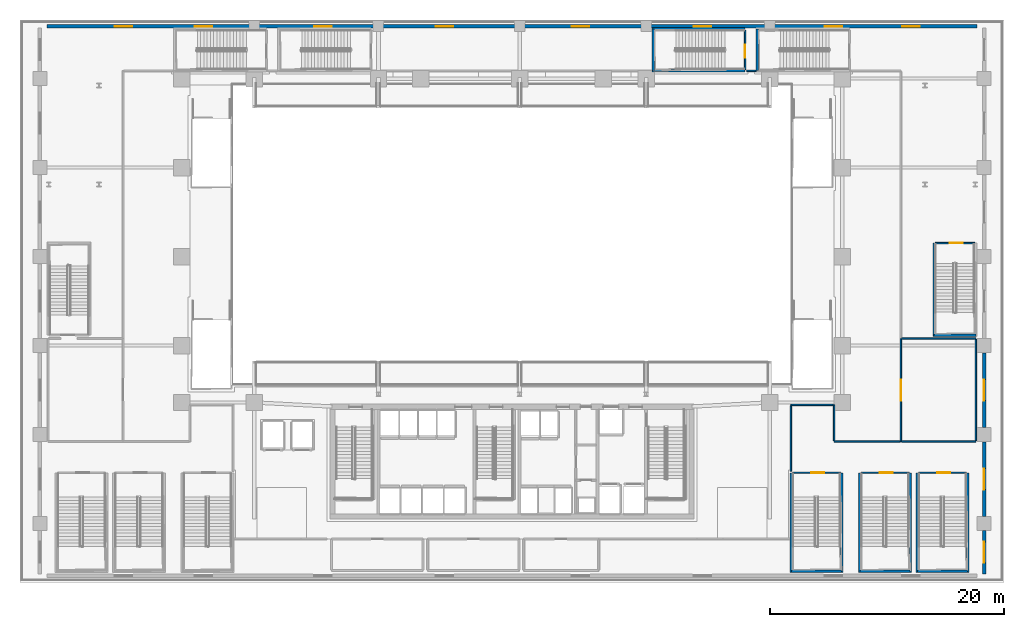
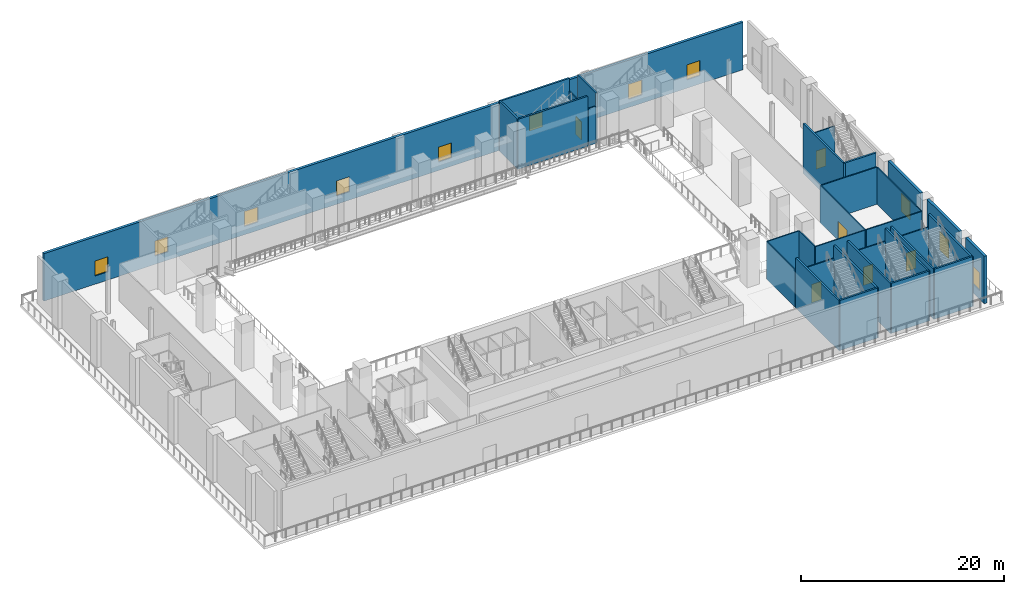
# One storey, part 11 of 28: 33 walls, 11 windows, 6 doors, 17 openings.
"""IFC4 building model written with IfcOpenShell, lengths in metres."""

from ifc_helpers import new_model, si_unit, direction, frame, frame_2d, origin, place, context, subcontext, project, spatial, rectangle, extrude, material, layer, layer_set, type_object, element, fill, save


model = new_model("IFC4")

# Units and contexts
model_context = context("Model", 3, precision=1e-05, world=origin(), true_north=direction((0.0, 1.0)))
body_context = subcontext(model_context, "Body", "Model", "MODEL_VIEW")
ifc_project = project(units=[si_unit("LENGTHUNIT", "METRE"), si_unit("AREAUNIT", "SQUARE_METRE"), si_unit("VOLUMEUNIT", "CUBIC_METRE"), si_unit("PLANEANGLEUNIT", "RADIAN"), si_unit("MASSUNIT", "GRAM", prefix="KILO")], contexts=[model_context])

# Site, building, storey
site_placement = place(None, origin())
site = spatial("IfcSite", under=ifc_project, at=site_placement, CompositionType="ELEMENT")
building_placement = place(site_placement, origin())
building = spatial("IfcBuilding", under=site, at=building_placement, Name="Ndaravel Arena Tower", CompositionType="ELEMENT")
storey_placement = place(building_placement, frame((0.0, 0.0, 18.0)))
storey = spatial("IfcBuildingStorey", under=building, at=storey_placement, Name="L03", CompositionType="ELEMENT", Elevation=18.0)

# Wall
ifc_material_1 = material(Name="Gypsum", Category="gypsum")
ifc_layer_1 = layer(ifc_material_1, 0.125)
ifc_layer_set_1 = layer_set([ifc_layer_1], Name="Gypsum")
wall_type_1 = type_object("IfcWallType", Name="WALL-PART-125", PredefinedType="PARTITIONING", material=ifc_layer_set_1)
wall_1_placement = place(storey_placement, frame((62.02001953125, 43.64990234375, 0.0), z_axis=(0.0, 0.0, 1.0), x_axis=(1.0, 0.0, 0.0)))
element("IfcWall", 1, at=wall_1_placement, inside=storey, type_object=wall_type_1, Name="L03 Interior Partition 017", PredefinedType="PARTITIONING", context=body_context, shape_type="SweptSolid", body=[
    extrude(rectangle(XDim=0.81005859375, YDim=0.125, at=frame_2d((0.405029296875, 0.0))), origin(), (0.0, 0.0, 1.0), 4.469970703125),
])

# Wall, opening, door
wall_2_placement = place(storey_placement, frame((75.199951171875, 20.800048828125, 0.0), z_axis=(0.0, 0.0, 1.0), x_axis=(0.0, -1.0, 0.0)))
wall_2 = element("IfcWall", 2, at=wall_2_placement, inside=storey, type_object=wall_type_1, Name="L03 Interior Partition 020", PredefinedType="PARTITIONING", context=body_context, shape_type="SweptSolid", body=[
    extrude(rectangle(XDim=8.800048828125, YDim=0.125, at=frame_2d((4.39990234375, 0.0))), origin(), (0.0, 0.0, 1.0), 4.469970703125),
])
opening_1_placement = place(wall_2_placement, frame((3.5, 0.0, 0.0)))
opening_1 = element("IfcOpeningElement", 3, at=opening_1_placement, cuts=wall_2, Name="Opening AD-01", PredefinedType="OPENING", context=body_context, shape_type="SweptSolid", body=[
    extrude(rectangle(XDim=1.800048828125, YDim=2.300048828125, at=frame_2d((0.89990234375, 1.14990234375))), frame((0.0, 0.0625, 0.0), z_axis=(0.0, -1.0, 0.0), x_axis=(1.0, 0.0, 0.0)), (0.0, 0.0, 1.0), 0.125),
])
ifc_material_2 = material(Name="Steel S355", Category="steel")
door_type_1 = type_object("IfcDoorType", Name="DT-10-ARENA-1800", OperationType="DOUBLE_DOOR_SINGLE_SWING", PredefinedType="DOOR", material=ifc_material_2)
door_1_placement = place(opening_1_placement, origin())
door_1 = element("IfcDoor", 4, at=door_1_placement, inside=storey, type_object=door_type_1, Name="L03 Upper East Refreshment Kiosk Door", OperationType="SINGLE_SWING_LEFT", OverallHeight=2.300048828125, OverallWidth=1.800048828125, PredefinedType="DOOR", context=body_context, shape_type="SweptSolid", body=[
    extrude(rectangle(XDim=1.800048828125, YDim=2.300048828125, at=frame_2d((0.89990234375, 1.14990234375))), frame((0.0, 0.02490234375, 0.0), z_axis=(0.0, -1.0, 0.0), x_axis=(1.0, 0.0, 0.0)), (0.0, 0.0, 1.0), 0.050048828125),
])
fill(opening_1, door_1)

# Walls
wall_3_placement = place(storey_placement, frame((75.135009765625, 12.0, 0.0), z_axis=(0.0, 0.0, 1.0), x_axis=(-1.0, 0.0, 0.0)))
element("IfcWall", 5, at=wall_3_placement, inside=storey, type_object=wall_type_1, Name="L03 Interior Partition 021", PredefinedType="PARTITIONING", context=body_context, shape_type="SweptSolid", body=[
    extrude(rectangle(XDim=5.635009765625, YDim=0.125, at=frame_2d((2.8173828125, 0.0))), origin(), (0.0, 0.0, 1.0), 4.469970703125),
])
wall_4_placement = place(storey_placement, frame((69.5, 12.06494140625, 0.0), z_axis=(0.0, 0.0, 1.0), x_axis=(0.0, 1.0, 0.0)))
element("IfcWall", 6, at=wall_4_placement, inside=storey, type_object=wall_type_1, Name="L03 Interior Partition 022", PredefinedType="PARTITIONING", context=body_context, shape_type="SweptSolid", body=[
    extrude(rectangle(XDim=3.0849609375, YDim=0.125, at=frame_2d((1.54248046875, 0.0))), origin(), (0.0, 0.0, 1.0), 4.469970703125),
])
wall_5_placement = place(storey_placement, frame((69.43505859375, 15.14990234375, 0.0), z_axis=(0.0, 0.0, 1.0), x_axis=(-1.0, 0.0, 0.0)))
element("IfcWall", 7, at=wall_5_placement, inside=storey, type_object=wall_type_1, Name="L03 Interior Partition 023", PredefinedType="PARTITIONING", context=body_context, shape_type="SweptSolid", body=[
    extrude(rectangle(XDim=3.635009765625, YDim=0.125, at=frame_2d((1.8173828125, 0.0))), origin(), (0.0, 0.0, 1.0), 4.469970703125),
])
wall_6_placement = place(storey_placement, frame((65.800048828125, 15.0849609375, 0.0), z_axis=(0.0, 0.0, 1.0), x_axis=(0.0, -1.0, 0.0)))
element("IfcWall", 8, at=wall_6_placement, inside=storey, type_object=wall_type_1, Name="L03 Interior Partition 024", PredefinedType="PARTITIONING", context=body_context, shape_type="SweptSolid", body=[
    extrude(rectangle(XDim=5.614990234375, YDim=0.125, at=frame_2d((2.8076171875, 0.0))), origin(), (0.0, 0.0, 1.0), 4.469970703125),
])
for number, where, z_axis, x_axis, name in (
    (9, (81.60009765625, 12.0, 0.0), (0.0, 0.0, 1.0), (-1.0, 0.0, 0.0), "L03 Interior Partition 030"),
    (10, (75.264892578125, 20.800048828125, 0.0), (0.0, 0.0, 1.0), (1.0, 0.0, 0.0), "L03 Interior Partition 031"),
):
    element("IfcWall", number, at=place(storey_placement, frame(where, z_axis=z_axis, x_axis=x_axis)), inside=storey, type_object=wall_type_1, Name=name, PredefinedType="PARTITIONING", context=body_context, shape_type="SweptSolid", body=[
        extrude(rectangle(XDim=6.335205078125, YDim=0.125, at=frame_2d((3.16748046875, 0.0))), origin(), (0.0, 0.0, 1.0), 4.469970703125),
    ])
wall_7_placement = place(storey_placement, frame((81.60009765625, 20.735107421875, 0.0), z_axis=(0.0, 0.0, 1.0), x_axis=(0.0, -1.0, 0.0)))
element("IfcWall", 11, at=wall_7_placement, inside=storey, type_object=wall_type_1, Name="L03 Interior Partition 032", PredefinedType="PARTITIONING", context=body_context, shape_type="SweptSolid", body=[
    extrude(rectangle(XDim=8.670166015625, YDim=0.125, at=frame_2d((4.3349609375, 0.0))), origin(), (0.0, 0.0, 1.0), 4.469970703125),
])

# Wall, openings, windows
ifc_material_3 = material(Name="Masonry", Category="masonry")
ifc_layer_2 = layer(ifc_material_3, 0.300048828125)
ifc_layer_set_2 = layer_set([ifc_layer_2], Name="Masonry")
wall_type_2 = type_object("IfcWallType", Name="WALL-POD-MAZERAS-300", PredefinedType="SOLIDWALL", material=ifc_layer_set_2)
wall_8_placement = place(storey_placement, frame((2.300048828125, 47.449951171875, 0.0), z_axis=(0.0, 0.0, 1.0), x_axis=(1.0, 0.0, 0.0)))
wall_8 = element("IfcWall", 12, at=wall_8_placement, inside=storey, type_object=wall_type_2, Name="L03 North Mazeras Facade Wall", PredefinedType="SOLIDWALL", context=body_context, shape_type="SweptSolid", body=[
    extrude(rectangle(XDim=79.39990234375, YDim=0.300048828125, at=frame_2d((39.699951171875, 0.0))), origin(), (0.0, 0.0, 1.0), 5.699951171875),
])
opening_2_placement = place(wall_8_placement, frame((5.800048828125, 0.0, 1.0)))
opening_2 = element("IfcOpeningElement", 13, at=opening_2_placement, cuts=wall_8, Name="Opening W-PD3", PredefinedType="OPENING", context=body_context, shape_type="SweptSolid", body=[
    extrude(rectangle(XDim=1.5, YDim=1.800048828125, at=frame_2d((0.75, 0.89990234375))), frame((0.0, 0.14990234375, 0.0), z_axis=(0.0, -1.0, 0.0), x_axis=(1.0, 0.0, 0.0)), (0.0, 0.0, 1.0), 0.300048828125),
])
opening_3_placement = place(wall_8_placement, frame((12.60009765625, 0.0, 1.0)))
opening_3 = element("IfcOpeningElement", 14, at=opening_3_placement, cuts=wall_8, Name="Opening W-PD3", PredefinedType="OPENING", context=body_context, shape_type="SweptSolid", body=[
    extrude(rectangle(XDim=1.5, YDim=1.800048828125, at=frame_2d((0.75, 0.89990234375))), frame((0.0, 0.14990234375, 0.0), z_axis=(0.0, -1.0, 0.0), x_axis=(1.0, 0.0, 0.0)), (0.0, 0.0, 1.0), 0.300048828125),
])
opening_4_placement = place(wall_8_placement, frame((22.800048828125, 0.0, 1.0)))
opening_4 = element("IfcOpeningElement", 15, at=opening_4_placement, cuts=wall_8, Name="Opening W-PD3", PredefinedType="OPENING", context=body_context, shape_type="SweptSolid", body=[
    extrude(rectangle(XDim=1.5, YDim=1.800048828125, at=frame_2d((0.75, 0.89990234375))), frame((0.0, 0.14990234375, 0.0), z_axis=(0.0, -1.0, 0.0), x_axis=(1.0, 0.0, 0.0)), (0.0, 0.0, 1.0), 0.300048828125),
])
opening_5_placement = place(wall_8_placement, frame((33.199951171875, 0.0, 1.0)))
opening_5 = element("IfcOpeningElement", 16, at=opening_5_placement, cuts=wall_8, Name="Opening W-PD3", PredefinedType="OPENING", context=body_context, shape_type="SweptSolid", body=[
    extrude(rectangle(XDim=1.5, YDim=1.800048828125, at=frame_2d((0.75, 0.89990234375))), frame((0.0, 0.14990234375, 0.0), z_axis=(0.0, -1.0, 0.0), x_axis=(1.0, 0.0, 0.0)), (0.0, 0.0, 1.0), 0.300048828125),
])
opening_6_placement = place(wall_8_placement, frame((44.800048828125, 0.0, 1.0)))
opening_6 = element("IfcOpeningElement", 17, at=opening_6_placement, cuts=wall_8, Name="Opening W-PD3", PredefinedType="OPENING", context=body_context, shape_type="SweptSolid", body=[
    extrude(rectangle(XDim=1.5, YDim=1.800048828125, at=frame_2d((0.75, 0.89990234375))), frame((0.0, 0.14990234375, 0.0), z_axis=(0.0, -1.0, 0.0), x_axis=(1.0, 0.0, 0.0)), (0.0, 0.0, 1.0), 0.300048828125),
])
opening_7_placement = place(wall_8_placement, frame((55.199951171875, 0.0, 1.0)))
opening_7 = element("IfcOpeningElement", 18, at=opening_7_placement, cuts=wall_8, Name="Opening W-PD3", PredefinedType="OPENING", context=body_context, shape_type="SweptSolid", body=[
    extrude(rectangle(XDim=1.5, YDim=1.800048828125, at=frame_2d((0.75, 0.89990234375))), frame((0.0, 0.14990234375, 0.0), z_axis=(0.0, -1.0, 0.0), x_axis=(1.0, 0.0, 0.0)), (0.0, 0.0, 1.0), 0.300048828125),
])
opening_8_placement = place(wall_8_placement, frame((66.39990234375, 0.0, 1.0)))
opening_8 = element("IfcOpeningElement", 19, at=opening_8_placement, cuts=wall_8, Name="Opening W-PD3", PredefinedType="OPENING", context=body_context, shape_type="SweptSolid", body=[
    extrude(rectangle(XDim=1.5, YDim=1.800048828125, at=frame_2d((0.75, 0.89990234375))), frame((0.0, 0.14990234375, 0.0), z_axis=(0.0, -1.0, 0.0), x_axis=(1.0, 0.0, 0.0)), (0.0, 0.0, 1.0), 0.300048828125),
])
opening_9_placement = place(wall_8_placement, frame((73.0, 0.0, 1.0)))
opening_9 = element("IfcOpeningElement", 20, at=opening_9_placement, cuts=wall_8, Name="Opening W-PD3", PredefinedType="OPENING", context=body_context, shape_type="SweptSolid", body=[
    extrude(rectangle(XDim=1.5, YDim=1.800048828125, at=frame_2d((0.75, 0.89990234375))), frame((0.0, 0.14990234375, 0.0), z_axis=(0.0, -1.0, 0.0), x_axis=(1.0, 0.0, 0.0)), (0.0, 0.0, 1.0), 0.300048828125),
])
ifc_material_4 = material(Name="Glazing", Category="glass")
window_type_1 = type_object("IfcWindowType", Name="WIN-POD-1500", PartitioningType="SINGLE_PANEL", PredefinedType="WINDOW", material=ifc_material_4)
window_1_placement = place(opening_2_placement, origin())
window_1 = element("IfcWindow", 21, at=window_1_placement, inside=storey, type_object=window_type_1, Name="L03 North Ribbon Window 01", OverallHeight=1.800048828125, OverallWidth=1.5, PartitioningType="SINGLE_PANEL", PredefinedType="WINDOW", context=body_context, shape_type="SweptSolid", body=[
    extrude(rectangle(XDim=1.5, YDim=1.800048828125, at=frame_2d((0.75, 0.89990234375))), frame((0.0, 0.030029296875, 0.0), z_axis=(0.0, -1.0, 0.0), x_axis=(1.0, 0.0, 0.0)), (0.0, 0.0, 1.0), 0.06005859375),
])
fill(opening_2, window_1)
window_2_placement = place(opening_3_placement, origin())
window_2 = element("IfcWindow", 22, at=window_2_placement, inside=storey, type_object=window_type_1, Name="L03 North Ribbon Window 02", OverallHeight=1.800048828125, OverallWidth=1.5, PartitioningType="SINGLE_PANEL", PredefinedType="WINDOW", context=body_context, shape_type="SweptSolid", body=[
    extrude(rectangle(XDim=1.5, YDim=1.800048828125, at=frame_2d((0.75, 0.89990234375))), frame((0.0, 0.030029296875, 0.0), z_axis=(0.0, -1.0, 0.0), x_axis=(1.0, 0.0, 0.0)), (0.0, 0.0, 1.0), 0.06005859375),
])
fill(opening_3, window_2)
window_3_placement = place(opening_4_placement, origin())
window_3 = element("IfcWindow", 23, at=window_3_placement, inside=storey, type_object=window_type_1, Name="L03 North Ribbon Window 03", OverallHeight=1.800048828125, OverallWidth=1.5, PartitioningType="SINGLE_PANEL", PredefinedType="WINDOW", context=body_context, shape_type="SweptSolid", body=[
    extrude(rectangle(XDim=1.5, YDim=1.800048828125, at=frame_2d((0.75, 0.89990234375))), frame((0.0, 0.030029296875, 0.0), z_axis=(0.0, -1.0, 0.0), x_axis=(1.0, 0.0, 0.0)), (0.0, 0.0, 1.0), 0.06005859375),
])
fill(opening_4, window_3)
window_4_placement = place(opening_5_placement, origin())
window_4 = element("IfcWindow", 24, at=window_4_placement, inside=storey, type_object=window_type_1, Name="L03 North Ribbon Window 04", OverallHeight=1.800048828125, OverallWidth=1.5, PartitioningType="SINGLE_PANEL", PredefinedType="WINDOW", context=body_context, shape_type="SweptSolid", body=[
    extrude(rectangle(XDim=1.5, YDim=1.800048828125, at=frame_2d((0.75, 0.89990234375))), frame((0.0, 0.030029296875, 0.0), z_axis=(0.0, -1.0, 0.0), x_axis=(1.0, 0.0, 0.0)), (0.0, 0.0, 1.0), 0.06005859375),
])
fill(opening_5, window_4)
window_5_placement = place(opening_6_placement, origin())
window_5 = element("IfcWindow", 25, at=window_5_placement, inside=storey, type_object=window_type_1, Name="L03 North Ribbon Window 05", OverallHeight=1.800048828125, OverallWidth=1.5, PartitioningType="SINGLE_PANEL", PredefinedType="WINDOW", context=body_context, shape_type="SweptSolid", body=[
    extrude(rectangle(XDim=1.5, YDim=1.800048828125, at=frame_2d((0.75, 0.89990234375))), frame((0.0, 0.030029296875, 0.0), z_axis=(0.0, -1.0, 0.0), x_axis=(1.0, 0.0, 0.0)), (0.0, 0.0, 1.0), 0.06005859375),
])
fill(opening_6, window_5)
window_6_placement = place(opening_7_placement, origin())
window_6 = element("IfcWindow", 26, at=window_6_placement, inside=storey, type_object=window_type_1, Name="L03 North Ribbon Window 06", OverallHeight=1.800048828125, OverallWidth=1.5, PartitioningType="SINGLE_PANEL", PredefinedType="WINDOW", context=body_context, shape_type="SweptSolid", body=[
    extrude(rectangle(XDim=1.5, YDim=1.800048828125, at=frame_2d((0.75, 0.89990234375))), frame((0.0, 0.030029296875, 0.0), z_axis=(0.0, -1.0, 0.0), x_axis=(1.0, 0.0, 0.0)), (0.0, 0.0, 1.0), 0.06005859375),
])
fill(opening_7, window_6)
window_7_placement = place(opening_8_placement, origin())
window_7 = element("IfcWindow", 27, at=window_7_placement, inside=storey, type_object=window_type_1, Name="L03 North Ribbon Window 07", OverallHeight=1.800048828125, OverallWidth=1.5, PartitioningType="SINGLE_PANEL", PredefinedType="WINDOW", context=body_context, shape_type="SweptSolid", body=[
    extrude(rectangle(XDim=1.5, YDim=1.800048828125, at=frame_2d((0.75, 0.89990234375))), frame((0.0, 0.030029296875, 0.0), z_axis=(0.0, -1.0, 0.0), x_axis=(1.0, 0.0, 0.0)), (0.0, 0.0, 1.0), 0.06005859375),
])
fill(opening_8, window_7)
window_8_placement = place(opening_9_placement, origin())
window_8 = element("IfcWindow", 28, at=window_8_placement, inside=storey, type_object=window_type_1, Name="L03 North Ribbon Window 08", OverallHeight=1.800048828125, OverallWidth=1.5, PartitioningType="SINGLE_PANEL", PredefinedType="WINDOW", context=body_context, shape_type="SweptSolid", body=[
    extrude(rectangle(XDim=1.5, YDim=1.800048828125, at=frame_2d((0.75, 0.89990234375))), frame((0.0, 0.030029296875, 0.0), z_axis=(0.0, -1.0, 0.0), x_axis=(1.0, 0.0, 0.0)), (0.0, 0.0, 1.0), 0.06005859375),
])
fill(opening_9, window_8)

# Wall, opening, window
wall_9_placement = place(storey_placement, frame((82.300048828125, 4.39990234375, 0.0), z_axis=(0.0, 0.0, 1.0), x_axis=(0.0, -1.0, 0.0)))
wall_9 = element("IfcWall", 29, at=wall_9_placement, inside=storey, type_object=wall_type_2, Name="L03 East Mazeras Bay 1", PredefinedType="SOLIDWALL", context=body_context, shape_type="SweptSolid", body=[
    extrude(rectangle(XDim=3.699951171875, YDim=0.300048828125, at=frame_2d((1.85009765625, 0.0))), origin(), (0.0, 0.0, 1.0), 5.699951171875),
])
opening_10_placement = place(wall_9_placement, frame((0.949951171875, 0.0, 1.0)))
opening_10 = element("IfcOpeningElement", 30, at=opening_10_placement, cuts=wall_9, Name="Opening W-PD2", PredefinedType="OPENING", context=body_context, shape_type="SweptSolid", body=[
    extrude(rectangle(XDim=1.800048828125, YDim=2.199951171875, at=frame_2d((0.89990234375, 1.10009765625))), frame((0.0, 0.14990234375, 0.0), z_axis=(0.0, -1.0, 0.0), x_axis=(1.0, 0.0, 0.0)), (0.0, 0.0, 1.0), 0.300048828125),
])
ifc_material_5 = material(Name="Glazing", Category="glass")
window_type_2 = type_object("IfcWindowType", Name="WIN-POD-1800", PartitioningType="SINGLE_PANEL", PredefinedType="WINDOW", material=ifc_material_5)
window_9_placement = place(opening_10_placement, origin())
window_9 = element("IfcWindow", 31, at=window_9_placement, inside=storey, type_object=window_type_2, Name="L03 East Mazeras Window 1", OverallHeight=2.199951171875, OverallWidth=1.800048828125, PartitioningType="SINGLE_PANEL", PredefinedType="WINDOW", context=body_context, shape_type="SweptSolid", body=[
    extrude(rectangle(XDim=1.800048828125, YDim=2.199951171875, at=frame_2d((0.89990234375, 1.10009765625))), frame((0.0, 0.030029296875, 0.0), z_axis=(0.0, -1.0, 0.0), x_axis=(1.0, 0.0, 0.0)), (0.0, 0.0, 1.0), 0.06005859375),
])
fill(opening_10, window_9)

wall_10_placement = place(storey_placement, frame((82.300048828125, 11.97998046875, 0.0), z_axis=(0.0, 0.0, 1.0), x_axis=(0.0, -1.0, 0.0)))
wall_10 = element("IfcWall", 32, at=wall_10_placement, inside=storey, type_object=wall_type_2, Name="L03 East Mazeras Bay 2", PredefinedType="SOLIDWALL", context=body_context, shape_type="SweptSolid", body=[
    extrude(rectangle(XDim=6.35986328125, YDim=0.300048828125, at=frame_2d((3.179931640625, 0.0))), origin(), (0.0, 0.0, 1.0), 5.699951171875),
])
opening_11_placement = place(wall_10_placement, frame((2.280029296875, 0.0, 1.0)))
opening_11 = element("IfcOpeningElement", 33, at=opening_11_placement, cuts=wall_10, Name="Opening W-PD2", PredefinedType="OPENING", context=body_context, shape_type="SweptSolid", body=[
    extrude(rectangle(XDim=1.800048828125, YDim=2.199951171875, at=frame_2d((0.89990234375, 1.10009765625))), frame((0.0, 0.14990234375, 0.0), z_axis=(0.0, -1.0, 0.0), x_axis=(1.0, 0.0, 0.0)), (0.0, 0.0, 1.0), 0.300048828125),
])
window_10_placement = place(opening_11_placement, origin())
window_10 = element("IfcWindow", 34, at=window_10_placement, inside=storey, type_object=window_type_2, Name="L03 East Mazeras Window 2", OverallHeight=2.199951171875, OverallWidth=1.800048828125, PartitioningType="SINGLE_PANEL", PredefinedType="WINDOW", context=body_context, shape_type="SweptSolid", body=[
    extrude(rectangle(XDim=1.800048828125, YDim=2.199951171875, at=frame_2d((0.89990234375, 1.10009765625))), frame((0.0, 0.030029296875, 0.0), z_axis=(0.0, -1.0, 0.0), x_axis=(1.0, 0.0, 0.0)), (0.0, 0.0, 1.0), 0.06005859375),
])
fill(opening_11, window_10)

wall_11_placement = place(storey_placement, frame((82.300048828125, 19.580078125, 0.0), z_axis=(0.0, 0.0, 1.0), x_axis=(0.0, -1.0, 0.0)))
wall_11 = element("IfcWall", 35, at=wall_11_placement, inside=storey, type_object=wall_type_2, Name="L03 East Mazeras Bay 3", PredefinedType="SOLIDWALL", context=body_context, shape_type="SweptSolid", body=[
    extrude(rectangle(XDim=6.360107421875, YDim=0.300048828125, at=frame_2d((3.18017578125, 0.0))), origin(), (0.0, 0.0, 1.0), 5.699951171875),
])
opening_12_placement = place(wall_11_placement, frame((2.280029296875, 0.0, 1.0)))
opening_12 = element("IfcOpeningElement", 36, at=opening_12_placement, cuts=wall_11, Name="Opening W-PD2", PredefinedType="OPENING", context=body_context, shape_type="SweptSolid", body=[
    extrude(rectangle(XDim=1.800048828125, YDim=2.199951171875, at=frame_2d((0.89990234375, 1.10009765625))), frame((0.0, 0.14990234375, 0.0), z_axis=(0.0, -1.0, 0.0), x_axis=(1.0, 0.0, 0.0)), (0.0, 0.0, 1.0), 0.300048828125),
])
window_11_placement = place(opening_12_placement, origin())
window_11 = element("IfcWindow", 37, at=window_11_placement, inside=storey, type_object=window_type_2, Name="L03 East Mazeras Window 3", OverallHeight=2.199951171875, OverallWidth=1.800048828125, PartitioningType="SINGLE_PANEL", PredefinedType="WINDOW", context=body_context, shape_type="SweptSolid", body=[
    extrude(rectangle(XDim=1.800048828125, YDim=2.199951171875, at=frame_2d((0.89990234375, 1.10009765625))), frame((0.0, 0.030029296875, 0.0), z_axis=(0.0, -1.0, 0.0), x_axis=(1.0, 0.0, 0.0)), (0.0, 0.0, 1.0), 0.06005859375),
])
fill(opening_12, window_11)

# Wall, opening, door
ifc_material_6 = material(Name="Concrete C40/50", Category="concrete")
ifc_layer_3 = layer(ifc_material_6, 0.1201171875)
ifc_layer_set_3 = layer_set([ifc_layer_3], Name="Concrete C40/50")
wall_type_3 = type_object("IfcWallType", Name="WALL-SHAFT-120", PredefinedType="SOLIDWALL", material=ifc_layer_set_3)
wall_12_placement = place(storey_placement, frame((65.955078125, 9.35009765625, 0.0), z_axis=(0.0, 0.0, 1.0), x_axis=(1.0, 0.0, 0.0)))
wall_12 = element("IfcWall", 38, at=wall_12_placement, inside=storey, type_object=wall_type_3, Name="L03 ST-A04 Entry Wall", PredefinedType="SOLIDWALL", context=body_context, shape_type="SweptSolid", body=[
    extrude(rectangle(XDim=4.08984375, YDim=0.1201171875, at=frame_2d((2.044921875, 0.0))), origin(), (0.0, 0.0, 1.0), 4.469970703125),
])
opening_13_placement = place(wall_12_placement, frame((1.60009765625, 0.0, 0.0)))
opening_13 = element("IfcOpeningElement", 39, at=opening_13_placement, cuts=wall_12, Name="Opening FD-01", PredefinedType="OPENING", context=body_context, shape_type="SweptSolid", body=[
    extrude(rectangle(XDim=1.10009765625, YDim=2.199951171875, at=frame_2d((0.550048828125, 1.10009765625))), frame((0.0, 0.06005859375, 0.0), z_axis=(0.0, -1.0, 0.0), x_axis=(1.0, 0.0, 0.0)), (0.0, 0.0, 1.0), 0.1201171875),
])
ifc_material_7 = material(Name="Steel S355", Category="steel")
door_type_2 = type_object("IfcDoorType", Name="DT-01-STAIR-1100", OperationType="SINGLE_SWING_LEFT", PredefinedType="DOOR", material=ifc_material_7)
door_2_placement = place(opening_13_placement, origin())
door_2 = element("IfcDoor", 40, at=door_2_placement, inside=storey, type_object=door_type_2, Name="L03 ST-A04 Fire Exit Stair Door", OperationType="SINGLE_SWING_RIGHT", OverallHeight=2.199951171875, OverallWidth=1.10009765625, PredefinedType="DOOR", context=body_context, shape_type="SweptSolid", body=[
    extrude(rectangle(XDim=1.10009765625, YDim=2.199951171875, at=frame_2d((0.550048828125, 1.10009765625))), frame((0.0, 0.02490234375, 0.0), z_axis=(0.0, -1.0, 0.0), x_axis=(1.0, 0.0, 0.0)), (0.0, 0.0, 1.0), 0.050048828125),
])
fill(opening_13, door_2)

wall_13_placement = place(storey_placement, frame((71.804931640625, 9.35009765625, 0.0), z_axis=(0.0, 0.0, 1.0), x_axis=(1.0, 0.0, 0.0)))
wall_13 = element("IfcWall", 41, at=wall_13_placement, inside=storey, type_object=wall_type_3, Name="L03 ST-A05 Entry Wall", PredefinedType="SOLIDWALL", context=body_context, shape_type="SweptSolid", body=[
    extrude(rectangle(XDim=4.090087890625, YDim=0.1201171875, at=frame_2d((2.044921875, 0.0))), origin(), (0.0, 0.0, 1.0), 4.469970703125),
])
opening_14_placement = place(wall_13_placement, frame((1.60009765625, 0.0, 0.0)))
opening_14 = element("IfcOpeningElement", 42, at=opening_14_placement, cuts=wall_13, Name="Opening FD-01", PredefinedType="OPENING", context=body_context, shape_type="SweptSolid", body=[
    extrude(rectangle(XDim=1.10009765625, YDim=2.199951171875, at=frame_2d((0.550048828125, 1.10009765625))), frame((0.0, 0.06005859375, 0.0), z_axis=(0.0, -1.0, 0.0), x_axis=(1.0, 0.0, 0.0)), (0.0, 0.0, 1.0), 0.1201171875),
])
door_3_placement = place(opening_14_placement, origin())
door_3 = element("IfcDoor", 43, at=door_3_placement, inside=storey, type_object=door_type_2, Name="L03 ST-A05 Fire Exit Stair Door", OperationType="SINGLE_SWING_RIGHT", OverallHeight=2.199951171875, OverallWidth=1.10009765625, PredefinedType="DOOR", context=body_context, shape_type="SweptSolid", body=[
    extrude(rectangle(XDim=1.10009765625, YDim=2.199951171875, at=frame_2d((0.550048828125, 1.10009765625))), frame((0.0, 0.02490234375, 0.0), z_axis=(0.0, -1.0, 0.0), x_axis=(1.0, 0.0, 0.0)), (0.0, 0.0, 1.0), 0.050048828125),
])
fill(opening_14, door_3)

wall_14_placement = place(storey_placement, frame((76.705078125, 9.35009765625, 0.0), z_axis=(0.0, 0.0, 1.0), x_axis=(1.0, 0.0, 0.0)))
wall_14 = element("IfcWall", 44, at=wall_14_placement, inside=storey, type_object=wall_type_3, Name="L03 ST-A06 Entry Wall", PredefinedType="SOLIDWALL", context=body_context, shape_type="SweptSolid", body=[
    extrude(rectangle(XDim=4.08984375, YDim=0.1201171875, at=frame_2d((2.044921875, 0.0))), origin(), (0.0, 0.0, 1.0), 4.469970703125),
])
opening_15_placement = place(wall_14_placement, frame((1.60009765625, 0.0, 0.0)))
opening_15 = element("IfcOpeningElement", 45, at=opening_15_placement, cuts=wall_14, Name="Opening FD-01", PredefinedType="OPENING", context=body_context, shape_type="SweptSolid", body=[
    extrude(rectangle(XDim=1.10009765625, YDim=2.199951171875, at=frame_2d((0.550048828125, 1.10009765625))), frame((0.0, 0.06005859375, 0.0), z_axis=(0.0, -1.0, 0.0), x_axis=(1.0, 0.0, 0.0)), (0.0, 0.0, 1.0), 0.1201171875),
])
door_4_placement = place(opening_15_placement, origin())
door_4 = element("IfcDoor", 46, at=door_4_placement, inside=storey, type_object=door_type_2, Name="L03 ST-A06 Fire Exit Stair Door", OperationType="SINGLE_SWING_RIGHT", OverallHeight=2.199951171875, OverallWidth=1.10009765625, PredefinedType="DOOR", context=body_context, shape_type="SweptSolid", body=[
    extrude(rectangle(XDim=1.10009765625, YDim=2.199951171875, at=frame_2d((0.550048828125, 1.10009765625))), frame((0.0, 0.02490234375, 0.0), z_axis=(0.0, -1.0, 0.0), x_axis=(1.0, 0.0, 0.0)), (0.0, 0.0, 1.0), 0.050048828125),
])
fill(opening_15, door_4)

wall_15_placement = place(storey_placement, frame((61.89990234375, 47.135009765625, 0.0), z_axis=(0.0, 0.0, 1.0), x_axis=(0.0, -1.0, 0.0)))
wall_15 = element("IfcWall", 47, at=wall_15_placement, inside=storey, type_object=wall_type_3, Name="L03 ST-A10 Entry Wall", PredefinedType="SOLIDWALL", context=body_context, shape_type="SweptSolid", body=[
    extrude(rectangle(XDim=3.3701171875, YDim=0.1201171875, at=frame_2d((1.68505859375, 0.0))), origin(), (0.0, 0.0, 1.0), 4.469970703125),
])
opening_16_placement = place(wall_15_placement, frame((1.239990234375, 0.0, 0.0)))
opening_16 = element("IfcOpeningElement", 48, at=opening_16_placement, cuts=wall_15, Name="Opening FD-01", PredefinedType="OPENING", context=body_context, shape_type="SweptSolid", body=[
    extrude(rectangle(XDim=1.10009765625, YDim=2.199951171875, at=frame_2d((0.550048828125, 1.10009765625))), frame((0.0, 0.06005859375, 0.0), z_axis=(0.0, -1.0, 0.0), x_axis=(1.0, 0.0, 0.0)), (0.0, 0.0, 1.0), 0.1201171875),
])
door_5_placement = place(opening_16_placement, origin())
door_5 = element("IfcDoor", 49, at=door_5_placement, inside=storey, type_object=door_type_2, Name="L03 ST-A10 Fire Exit Stair Door", OperationType="SINGLE_SWING_RIGHT", OverallHeight=2.199951171875, OverallWidth=1.10009765625, PredefinedType="DOOR", context=body_context, shape_type="SweptSolid", body=[
    extrude(rectangle(XDim=1.10009765625, YDim=2.199951171875, at=frame_2d((0.550048828125, 1.10009765625))), frame((0.0, 0.02490234375, 0.0), z_axis=(0.0, -1.0, 0.0), x_axis=(1.0, 0.0, 0.0)), (0.0, 0.0, 1.0), 0.050048828125),
])
fill(opening_16, door_5)

wall_16_placement = place(storey_placement, frame((78.125, 28.949951171875, 0.0), z_axis=(0.0, 0.0, 1.0), x_axis=(1.0, 0.0, 0.0)))
wall_16 = element("IfcWall", 50, at=wall_16_placement, inside=storey, type_object=wall_type_3, Name="L03 ST-A12 Entry Wall", PredefinedType="SOLIDWALL", context=body_context, shape_type="SweptSolid", body=[
    extrude(rectangle(XDim=3.3701171875, YDim=0.1201171875, at=frame_2d((1.68505859375, 0.0))), origin(), (0.0, 0.0, 1.0), 4.469970703125),
])
opening_17_placement = place(wall_16_placement, frame((1.239990234375, 0.0, 0.0)))
opening_17 = element("IfcOpeningElement", 51, at=opening_17_placement, cuts=wall_16, Name="Opening FD-01", PredefinedType="OPENING", context=body_context, shape_type="SweptSolid", body=[
    extrude(rectangle(XDim=1.10009765625, YDim=2.199951171875, at=frame_2d((0.550048828125, 1.10009765625))), frame((0.0, 0.06005859375, 0.0), z_axis=(0.0, -1.0, 0.0), x_axis=(1.0, 0.0, 0.0)), (0.0, 0.0, 1.0), 0.1201171875),
])
door_6_placement = place(opening_17_placement, origin())
door_6 = element("IfcDoor", 52, at=door_6_placement, inside=storey, type_object=door_type_2, Name="L03 ST-A12 Fire Exit Stair Door", OperationType="SINGLE_SWING_RIGHT", OverallHeight=2.199951171875, OverallWidth=1.10009765625, PredefinedType="DOOR", context=body_context, shape_type="SweptSolid", body=[
    extrude(rectangle(XDim=1.10009765625, YDim=2.199951171875, at=frame_2d((0.550048828125, 1.10009765625))), frame((0.0, 0.02490234375, 0.0), z_axis=(0.0, -1.0, 0.0), x_axis=(1.0, 0.0, 0.0)), (0.0, 0.0, 1.0), 0.050048828125),
])
fill(opening_17, door_6)

# Walls
ifc_material_8 = material(Name="Concrete C40/50", Category="concrete")
ifc_layer_4 = layer(ifc_material_8, 0.199951171875)
ifc_layer_set_4 = layer_set([ifc_layer_4], Name="Concrete C40/50")
wall_type_4 = type_object("IfcWallType", Name="WALL-SHAFT-200", PredefinedType="SOLIDWALL", material=ifc_layer_set_4)
for number, where, z_axis, x_axis, name in (
    (53, (65.85009765625, 9.35009765625, 0.0), (0.0, 0.0, 1.0), (0.0, -1.0, 0.0), "L03 ST-A04 Shaft Wall Left"),
    (54, (70.14990234375, 9.35009765625, 0.0), (0.0, 0.0, 1.0), (0.0, -1.0, 0.0), "L03 ST-A04 Shaft Wall Right"),
):
    element("IfcWall", number, at=place(storey_placement, frame(where, z_axis=z_axis, x_axis=x_axis)), inside=storey, type_object=wall_type_4, Name=name, PredefinedType="SOLIDWALL", context=body_context, shape_type="SweptSolid", body=[
        extrude(rectangle(XDim=8.5, YDim=0.199951171875, at=frame_2d((4.25, 0.0))), origin(), (0.0, 0.0, 1.0), 6.0),
    ])
wall_17_placement = place(storey_placement, frame((65.860107421875, 0.949951171875, 0.0), z_axis=(0.0, 0.0, 1.0), x_axis=(1.0, 0.0, 0.0)))
element("IfcWall", 55, at=wall_17_placement, inside=storey, type_object=wall_type_4, Name="L03 ST-A04 Shaft Wall Far", PredefinedType="SOLIDWALL", context=body_context, shape_type="SweptSolid", body=[
    extrude(rectangle(XDim=4.27978515625, YDim=0.199951171875, at=frame_2d((2.139892578125, 0.0))), origin(), (0.0, 0.0, 1.0), 6.0),
])
for number, where, z_axis, x_axis, name in (
    (56, (71.699951171875, 9.35009765625, 0.0), (0.0, 0.0, 1.0), (0.0, -1.0, 0.0), "L03 ST-A05 Shaft Wall Left"),
    (57, (76.0, 9.35009765625, 0.0), (0.0, 0.0, 1.0), (0.0, -1.0, 0.0), "L03 ST-A05 Shaft Wall Right"),
):
    element("IfcWall", number, at=place(storey_placement, frame(where, z_axis=z_axis, x_axis=x_axis)), inside=storey, type_object=wall_type_4, Name=name, PredefinedType="SOLIDWALL", context=body_context, shape_type="SweptSolid", body=[
        extrude(rectangle(XDim=8.5, YDim=0.199951171875, at=frame_2d((4.25, 0.0))), origin(), (0.0, 0.0, 1.0), 6.0),
    ])
wall_18_placement = place(storey_placement, frame((71.7099609375, 0.949951171875, 0.0), z_axis=(0.0, 0.0, 1.0), x_axis=(1.0, 0.0, 0.0)))
element("IfcWall", 58, at=wall_18_placement, inside=storey, type_object=wall_type_4, Name="L03 ST-A05 Shaft Wall Far", PredefinedType="SOLIDWALL", context=body_context, shape_type="SweptSolid", body=[
    extrude(rectangle(XDim=4.280029296875, YDim=0.199951171875, at=frame_2d((2.14013671875, 0.0))), origin(), (0.0, 0.0, 1.0), 6.0),
])
for number, where, z_axis, x_axis, name in (
    (59, (76.60009765625, 9.35009765625, 0.0), (0.0, 0.0, 1.0), (0.0, -1.0, 0.0), "L03 ST-A06 Shaft Wall Left"),
    (60, (80.89990234375, 9.35009765625, 0.0), (0.0, 0.0, 1.0), (0.0, -1.0, 0.0), "L03 ST-A06 Shaft Wall Right"),
):
    element("IfcWall", number, at=place(storey_placement, frame(where, z_axis=z_axis, x_axis=x_axis)), inside=storey, type_object=wall_type_4, Name=name, PredefinedType="SOLIDWALL", context=body_context, shape_type="SweptSolid", body=[
        extrude(rectangle(XDim=8.5, YDim=0.199951171875, at=frame_2d((4.25, 0.0))), origin(), (0.0, 0.0, 1.0), 6.0),
    ])
wall_19_placement = place(storey_placement, frame((76.610107421875, 0.949951171875, 0.0), z_axis=(0.0, 0.0, 1.0), x_axis=(1.0, 0.0, 0.0)))
element("IfcWall", 61, at=wall_19_placement, inside=storey, type_object=wall_type_4, Name="L03 ST-A06 Shaft Wall Far", PredefinedType="SOLIDWALL", context=body_context, shape_type="SweptSolid", body=[
    extrude(rectangle(XDim=4.27978515625, YDim=0.199951171875, at=frame_2d((2.139892578125, 0.0))), origin(), (0.0, 0.0, 1.0), 6.0),
])
for number, where, z_axis, x_axis, name in (
    (62, (61.89990234375, 47.239990234375, 0.0), (0.0, 0.0, 1.0), (-1.0, 0.0, 0.0), "L03 ST-A10 Shaft Wall Left"),
    (63, (61.89990234375, 43.659912109375, 0.0), (0.0, 0.0, 1.0), (-1.0, 0.0, 0.0), "L03 ST-A10 Shaft Wall Right"),
):
    element("IfcWall", number, at=place(storey_placement, frame(where, z_axis=z_axis, x_axis=x_axis)), inside=storey, type_object=wall_type_4, Name=name, PredefinedType="SOLIDWALL", context=body_context, shape_type="SweptSolid", body=[
        extrude(rectangle(XDim=7.949951171875, YDim=0.199951171875, at=frame_2d((3.97509765625, 0.0))), origin(), (0.0, 0.0, 1.0), 6.0),
    ])
for number, where, z_axis, x_axis, name in (
    (64, (54.050048828125, 47.22998046875, 0.0), (0.0, 0.0, 1.0), (0.0, -1.0, 0.0), "L03 ST-A10 Shaft Wall Far"),
    (65, (62.949951171875, 47.22998046875, 0.0), (0.0, 0.0, 1.0), (0.0, -1.0, 0.0), "L03 ST-A11 Shaft Wall Far"),
):
    element("IfcWall", number, at=place(storey_placement, frame(where, z_axis=z_axis, x_axis=x_axis)), inside=storey, type_object=wall_type_4, Name=name, PredefinedType="SOLIDWALL", context=body_context, shape_type="SweptSolid", body=[
        extrude(rectangle(XDim=3.56005859375, YDim=0.199951171875, at=frame_2d((1.780029296875, 0.0))), origin(), (0.0, 0.0, 1.0), 6.0),
    ])
wall_20_placement = place(storey_placement, frame((78.02001953125, 28.949951171875, 0.0), z_axis=(0.0, 0.0, 1.0), x_axis=(0.0, -1.0, 0.0)))
element("IfcWall", 66, at=wall_20_placement, inside=storey, type_object=wall_type_4, Name="L03 ST-A12 Shaft Wall Left", PredefinedType="SOLIDWALL", context=body_context, shape_type="SweptSolid", body=[
    extrude(rectangle(XDim=7.949951171875, YDim=0.199951171875, at=frame_2d((3.97509765625, 0.0))), origin(), (0.0, 0.0, 1.0), 6.0),
])
wall_21_placement = place(storey_placement, frame((78.030029296875, 21.10009765625, 0.0), z_axis=(0.0, 0.0, 1.0), x_axis=(1.0, 0.0, 0.0)))
element("IfcWall", 67, at=wall_21_placement, inside=storey, type_object=wall_type_4, Name="L03 ST-A12 Shaft Wall Far", PredefinedType="SOLIDWALL", context=body_context, shape_type="SweptSolid", body=[
    extrude(rectangle(XDim=3.56005859375, YDim=0.199951171875, at=frame_2d((1.780029296875, 0.0))), origin(), (0.0, 0.0, 1.0), 6.0),
])

save(model, "model.ifc")
